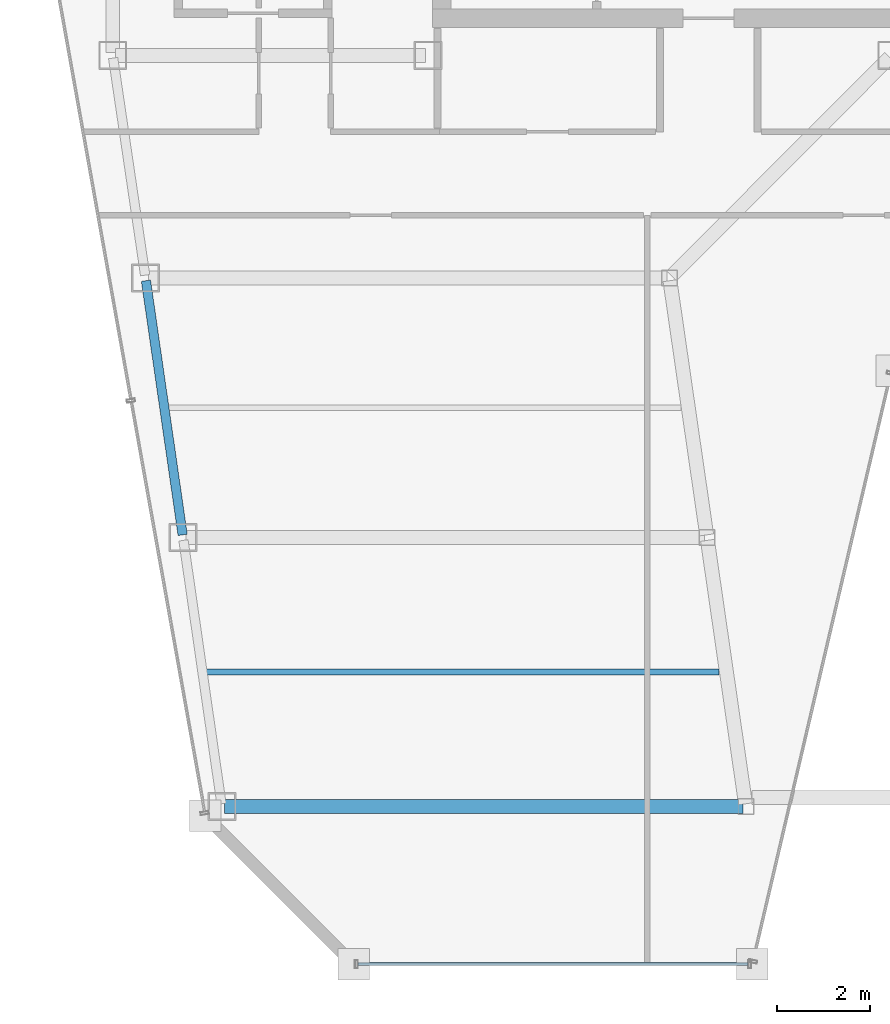
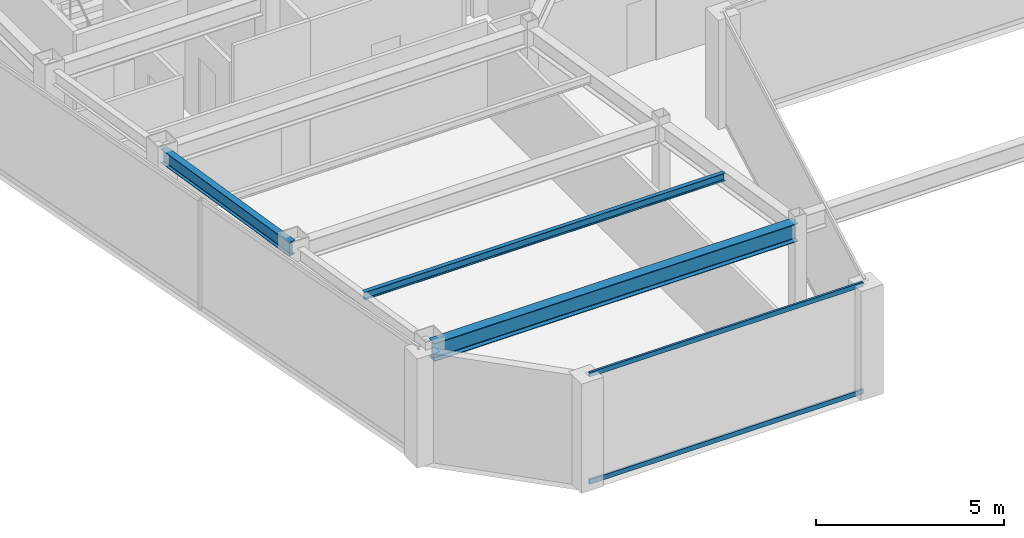
# One storey, part 4 of 32: 3 beams, 2 members, 1 element without a shape of its own.
"""IFC4 building model written with IfcOpenShell, lengths in metres."""

from ifc_helpers import new_model, si_unit, direction, frame, origin, origin_2d, place, context, subcontext, project, spatial, hollow_rectangle, i_section, extrude, material, material_profile, profile_set, type_object, element, aggregate, save


model = new_model("IFC4")

# Units and contexts
model_context = context("Model", 3, precision=1e-05, world=origin(), true_north=direction((0.0, 1.0)))
body_context = subcontext(model_context, "Body", "Model", "MODEL_VIEW")
ifc_project = project(units=[si_unit("LENGTHUNIT", "METRE"), si_unit("AREAUNIT", "SQUARE_METRE"), si_unit("VOLUMEUNIT", "CUBIC_METRE"), si_unit("PLANEANGLEUNIT", "RADIAN"), si_unit("MASSUNIT", "GRAM", prefix="KILO")], contexts=[model_context])

# Site, building, storey
site_placement = place(None, origin())
site = spatial("IfcSite", under=ifc_project, at=site_placement, CompositionType="ELEMENT")
building_placement = place(site_placement, origin())
building = spatial("IfcBuilding", under=site, at=building_placement, Name="Saevonmaru Cultural Tower", CompositionType="ELEMENT")
storey_placement = place(building_placement, frame((0.0, 0.0, 264.800048828125)))
storey = spatial("IfcBuildingStorey", under=building, at=storey_placement, Name="L62", CompositionType="ELEMENT", Elevation=264.800048828125)

# Beams
ifc_material_1 = material(Name="Steel SM355", Category="steel")
ifc_material_profile_1 = material_profile(ifc_material_1, i_section(OverallWidth=0.300048828125, OverallDepth=0.587890625, WebThickness=0.011962890625, FlangeThickness=0.02001953125, FilletRadius=0.02392578125, at=origin_2d()), Name="H-588x300x12x20")
ifc_profile_set_1 = profile_set([ifc_material_profile_1], Name="Steel SM355")
beam_type_1 = type_object("IfcBeamType", Name="BM-G-H588", PredefinedType="BEAM", material=ifc_profile_set_1)
beam_1_placement = place(storey_placement, frame((9.214111328125, 26.199951171875, 3.255859375), z_axis=(1.0, 0.0, 0.0), x_axis=(0.0, 1.0, 0.0)))
element("IfcBeam", 1, at=beam_1_placement, inside=storey, type_object=beam_type_1, Name="L62 West Wing Transverse Girder 1", PredefinedType="BEAM", context=body_context, shape_type="SweptSolid", body=[
    extrude(i_section(OverallWidth=0.300048828125, OverallDepth=0.587890625, WebThickness=0.011962890625, FlangeThickness=0.02001953125, FilletRadius=0.02392578125, at=origin_2d()), origin(), (0.0, 0.0, 1.0), 11.179931640625),
])
ifc_material_profile_2 = material_profile(ifc_material_1, i_section(OverallWidth=0.125, OverallDepth=0.25, WebThickness=0.006103515625, FlangeThickness=0.009033203125, FilletRadius=0.008056640625, at=origin_2d()), Name="H-250x125x6x9")
ifc_profile_set_2 = profile_set([ifc_material_profile_2], Name="Steel SM355")
beam_type_2 = type_object("IfcBeamType", Name="BM-J-H250", PredefinedType="JOIST", material=ifc_profile_set_2)
beam_2_placement = place(storey_placement, frame((8.79541015625, 29.10009765625, 3.425048828125), z_axis=(1.0, 0.0, 0.0), x_axis=(0.0, 1.0, 0.0)))
element("IfcBeam", 2, at=beam_2_placement, inside=storey, type_object=beam_type_2, Name="L62 West Wing Floor Joist 1", PredefinedType="JOIST", context=body_context, shape_type="SweptSolid", body=[
    extrude(i_section(OverallWidth=0.125, OverallDepth=0.25, WebThickness=0.006103515625, FlangeThickness=0.009033203125, FilletRadius=0.008056640625, at=origin_2d()), origin(), (0.0, 0.0, 1.0), 11.08203125),
])
ifc_material_profile_3 = material_profile(ifc_material_1, i_section(OverallWidth=0.199951171875, OverallDepth=0.449951171875, WebThickness=0.009033203125, FlangeThickness=0.013916015625, FilletRadius=0.01806640625, at=origin_2d()), Name="H-450x200x9x14")
ifc_profile_set_3 = profile_set([ifc_material_profile_3], Name="Steel SM355")
beam_type_3 = type_object("IfcBeamType", Name="BM-SP-H450", PredefinedType="SPANDREL", material=ifc_profile_set_3)
beam_3_placement = place(storey_placement, frame((8.308349609375, 32.059326171875, 3.324951171875), z_axis=(-0.142964121327, 0.989727871697, 0.0), x_axis=(-0.989727871697, -0.142964121327, 0.0)))
element("IfcBeam", 3, at=beam_3_placement, inside=storey, type_object=beam_type_3, Name="L62 West Splayed Spandrel 2", PredefinedType="SPANDREL", context=body_context, shape_type="SweptSolid", body=[
    extrude(i_section(OverallWidth=0.199951171875, OverallDepth=0.449951171875, WebThickness=0.009033203125, FlangeThickness=0.013916015625, FilletRadius=0.01806640625, at=origin_2d()), origin(), (0.0, 0.0, 1.0), 5.5380859375),
])

# Curtain wall, members
ifc_material_2 = material(Name="Satin Bronze Anodised Aluminium", Category="aluminium")
curtain_wall_type = type_object("IfcCurtainWallType", Name="CW-TYP-B", PredefinedType="NOTDEFINED", material=ifc_material_2)
curtain_wall_placement = place(storey_placement, origin())
curtain_wall = element("IfcCurtainWall", 4, at=curtain_wall_placement, inside=storey, type_object=curtain_wall_type, Name="L62 Unitised Curtain Wall E2", PredefinedType="NOTDEFINED")
ifc_material_profile_4 = material_profile(ifc_material_2, hollow_rectangle(XDim=0.06494140625, YDim=0.14990234375, WallThickness=0.00390625, at=origin_2d()), Name="ALU-TRAN-150x65x4")
ifc_profile_set_4 = profile_set([ifc_material_profile_4], Name="Satin Bronze Anodised Aluminium")
member_type = type_object("IfcMemberType", Name="TR-CW-150x65", PredefinedType="USERDEFINED", material=ifc_profile_set_4)
member_1_placement = place(storey_placement, frame((12.088134765625, 22.800048828125, 0.032470703125), z_axis=(1.0, 0.0, 0.0), x_axis=(0.0, 1.0, 0.0)))
member_1 = element("IfcMember", 5, at=member_1_placement, type_object=member_type, Name="CW-TW-L62-E2 transom 1.1", ObjectType="TRANSOM", PredefinedType="USERDEFINED", context=body_context, shape_type="SweptSolid", body=[
    extrude(hollow_rectangle(XDim=0.06494140625, YDim=0.14990234375, WallThickness=0.00390625, at=origin_2d()), origin(), (0.0, 0.0, 1.0), 8.4150390625),
])
member_2_placement = place(storey_placement, frame((12.088134765625, 22.800048828125, 3.517333984375), z_axis=(1.0, 0.0, 0.0), x_axis=(0.0, 1.0, 0.0)))
member_2 = element("IfcMember", 6, at=member_2_placement, type_object=member_type, Name="CW-TW-L62-E2 transom 1.2", ObjectType="TRANSOM", PredefinedType="USERDEFINED", context=body_context, shape_type="SweptSolid", body=[
    extrude(hollow_rectangle(XDim=0.06494140625, YDim=0.14990234375, WallThickness=0.00390625, at=origin_2d()), origin(), (0.0, 0.0, 1.0), 8.4150390625),
])
aggregate(curtain_wall, [member_1, member_2])

save(model, "model.ifc")
